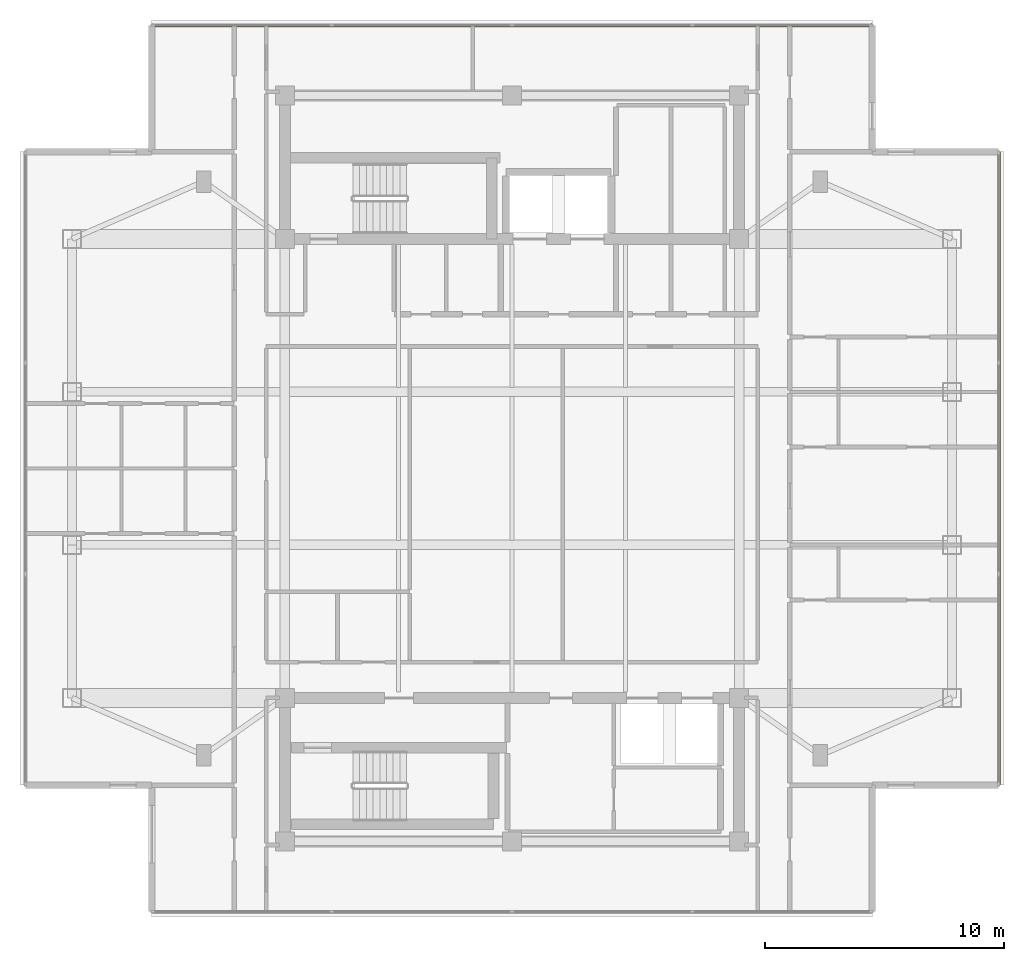
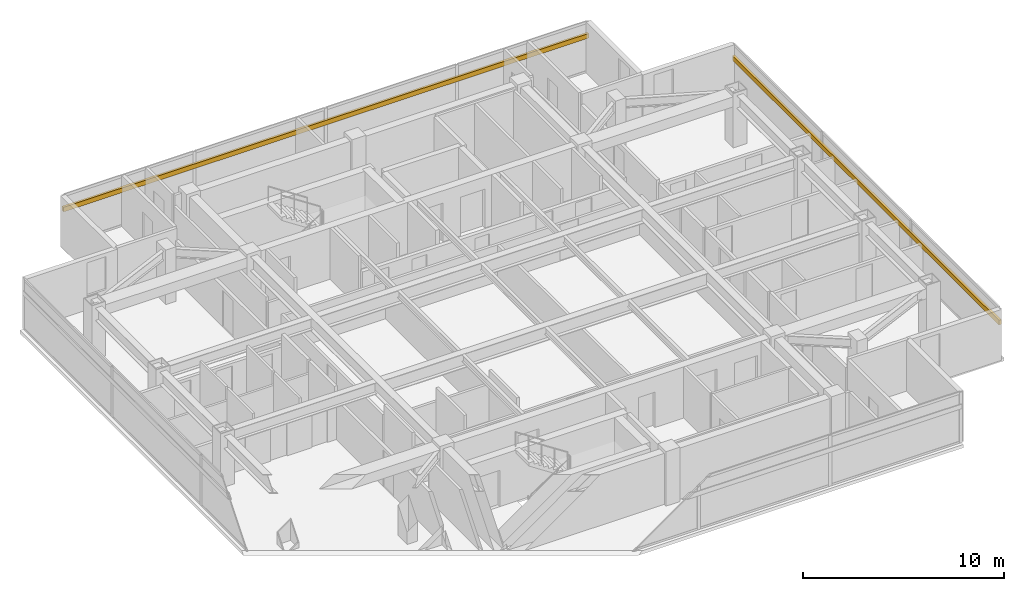
# One storey, part 12 of 12: 2 shading devices.
"""IFC4 building model written with IfcOpenShell, lengths in metres."""

from ifc_helpers import new_model, si_unit, direction, frame, origin, origin_2d, place, context, subcontext, project, spatial, rectangle, extrude, material, material_profile, profile_set, type_object, element, save


model = new_model("IFC4")

# Units and contexts
model_context = context("Model", 3, precision=1e-05, world=origin(), true_north=direction((0.0, 1.0)))
body_context = subcontext(model_context, "Body", "Model", "MODEL_VIEW")
ifc_project = project(units=[si_unit("LENGTHUNIT", "METRE"), si_unit("AREAUNIT", "SQUARE_METRE"), si_unit("VOLUMEUNIT", "CUBIC_METRE"), si_unit("PLANEANGLEUNIT", "RADIAN"), si_unit("MASSUNIT", "GRAM", prefix="KILO")], contexts=[model_context])

# Site, building, storey
site_placement = place(None, origin())
site = spatial("IfcSite", under=ifc_project, at=site_placement, CompositionType="ELEMENT")
building_placement = place(site_placement, origin())
building = spatial("IfcBuilding", under=site, at=building_placement, Name="Mirazonda Arch Towers", CompositionType="ELEMENT")
storey_placement = place(building_placement, frame((0.0, 0.0, 222.699951171875)))
storey = spatial("IfcBuildingStorey", under=building, at=storey_placement, Name="L63", CompositionType="ELEMENT", Elevation=222.699951171875)

# Shading devices
ifc_material = material(Name="Kiln-Fired Architectural Terracotta", Category="masonry")
ifc_material_profile = material_profile(ifc_material, rectangle(XDim=0.139892578125, YDim=0.280029296875, at=origin_2d()), Name="TERRA-BAG-140x280")
ifc_profile_set = profile_set([ifc_material_profile], Name="Kiln-Fired Architectural Terracotta")
shading_device_type = type_object("IfcShadingDeviceType", Name="BAGUETTE-3", PredefinedType="USERDEFINED", material=ifc_profile_set)
shading_device_1_placement = place(storey_placement, frame((40.860107421875, 14.751953125, 2.217529296875), z_axis=(0.0, 1.0, 0.0), x_axis=(-1.0, 0.0, 0.0)))
element("IfcShadingDevice", 1, at=shading_device_1_placement, inside=storey, type_object=shading_device_type, Name="L63 Glazed Terracotta Sun-Screen Baguette CW-L63-T1-E", ObjectType="BAGUETTE", PredefinedType="USERDEFINED", context=body_context, shape_type="SweptSolid", body=[
    extrude(rectangle(XDim=0.139892578125, YDim=0.280029296875, at=origin_2d()), origin(), (0.0, 0.0, 1.0), 26.49609375),
])
shading_device_2_placement = place(storey_placement, frame((5.429931640625, 46.5380859375, 2.217529296875), z_axis=(1.0, 0.0, 0.0), x_axis=(0.0, 1.0, 0.0)))
element("IfcShadingDevice", 2, at=shading_device_2_placement, inside=storey, type_object=shading_device_type, Name="L63 Glazed Terracotta Sun-Screen Baguette CW-L63-T1-N", ObjectType="BAGUETTE", PredefinedType="USERDEFINED", context=body_context, shape_type="SweptSolid", body=[
    extrude(rectangle(XDim=0.139892578125, YDim=0.280029296875, at=origin_2d()), origin(), (0.0, 0.0, 1.0), 30.14013671875),
])

save(model, "model.ifc")
